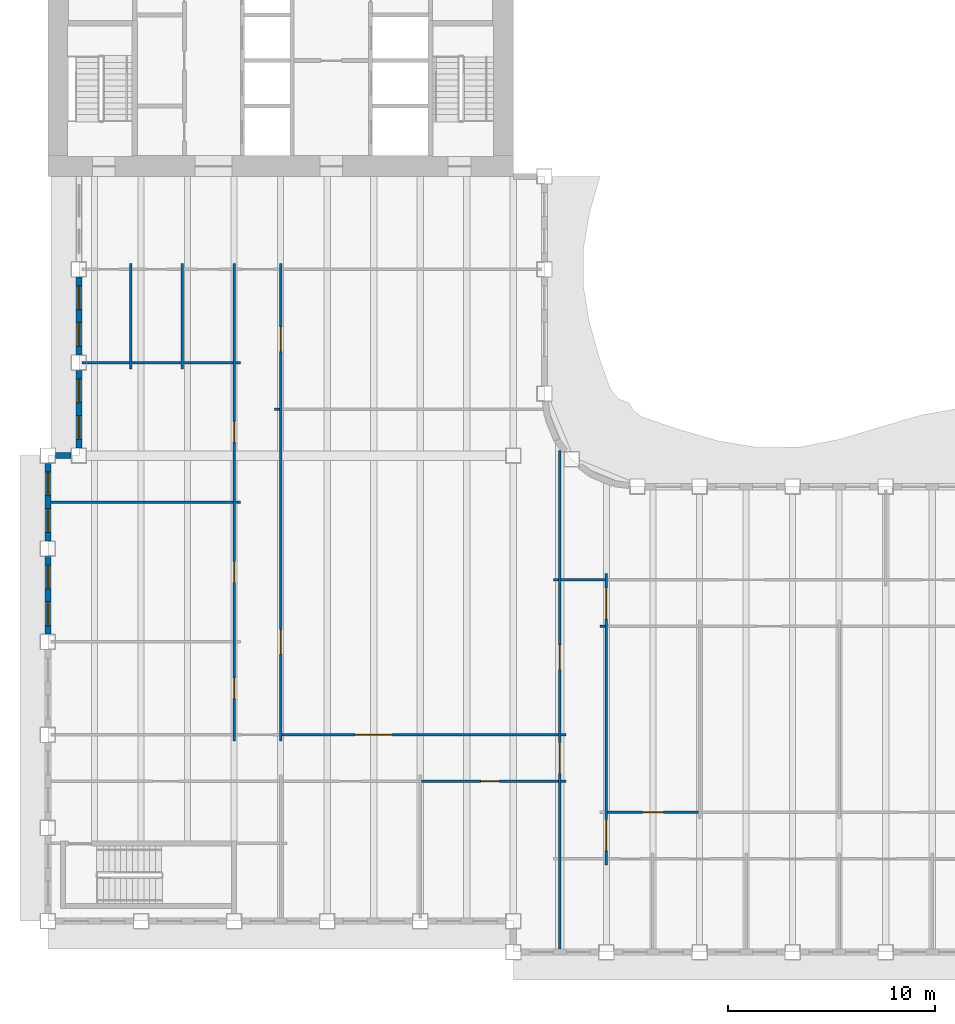
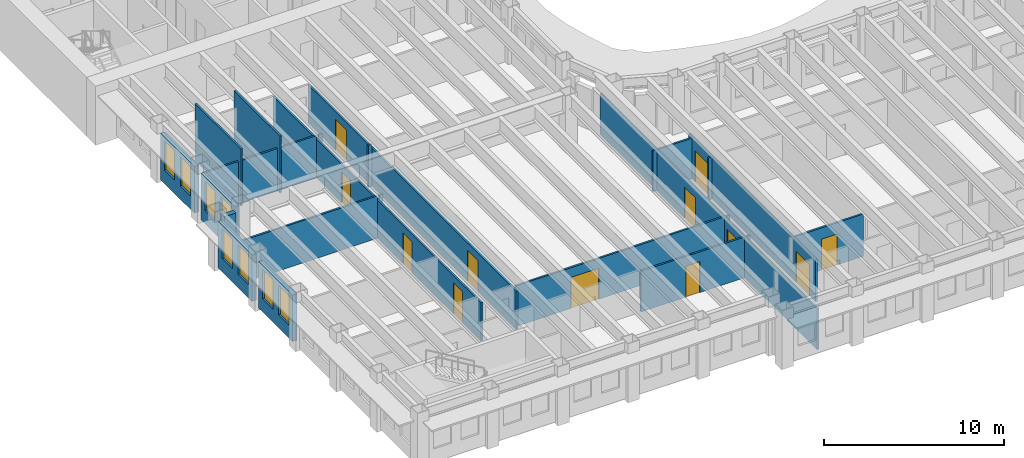
# One storey, part 4 of 17: 26 walls, 12 doors, 8 windows, 20 openings.
"""IFC4 building model written with IfcOpenShell, lengths in metres."""

from ifc_helpers import new_model, si_unit, direction, frame, frame_2d, origin, place, context, subcontext, project, spatial, rectangle, extrude, material, layer, layer_set, type_object, element, fill, save


model = new_model("IFC4")

# Units and contexts
model_context = context("Model", 3, precision=1e-05, world=origin(), true_north=direction((0.0, 1.0)))
body_context = subcontext(model_context, "Body", "Model", "MODEL_VIEW")
ifc_project = project(units=[si_unit("LENGTHUNIT", "METRE"), si_unit("AREAUNIT", "SQUARE_METRE"), si_unit("VOLUMEUNIT", "CUBIC_METRE"), si_unit("PLANEANGLEUNIT", "RADIAN"), si_unit("MASSUNIT", "GRAM", prefix="KILO")], contexts=[model_context])

# Site, building, storey
site_placement = place(None, origin())
site = spatial("IfcSite", under=ifc_project, at=site_placement, CompositionType="ELEMENT")
building_placement = place(site_placement, origin())
building = spatial("IfcBuilding", under=site, at=building_placement, Name="Sennacour Bend Tower", CompositionType="ELEMENT")
storey_placement = place(building_placement, frame((0.0, 0.0, 215.0)))
storey = spatial("IfcBuildingStorey", under=building, at=storey_placement, Name="L49", CompositionType="ELEMENT", Elevation=215.0)

# Walls
ifc_material_1 = material(Name="Plasterboard partition on steel studs", Category="steel")
ifc_layer_1 = layer(ifc_material_1, 0.1201171875, Name="Plasterboard partition on steel studs", Category="steel")
ifc_layer_set_1 = layer_set([ifc_layer_1], Name="Plasterboard partition on steel studs")
wall_type_1 = type_object("IfcWallType", Name="Partition 120", PredefinedType="PARTITIONING", material=ifc_layer_set_1)
for number, where, z_axis, x_axis, name in (
    (1, (4.0, 26.699951171875, 0.0), (0.0, 0.0, 1.0), (0.0, 1.0, 0.0), "P-L49-W004a"),
    (2, (6.5, 26.699951171875, 0.0), (0.0, 0.0, 1.0), (0.0, 1.0, 0.0), "P-L49-W007a"),
):
    element("IfcWall", number, at=place(storey_placement, frame(where, z_axis=z_axis, x_axis=x_axis)), inside=storey, type_object=wall_type_1, Name=name, PredefinedType="PARTITIONING", context=body_context, shape_type="SweptSolid", body=[
        extrude(rectangle(XDim=5.10009765625, YDim=0.1201171875, at=frame_2d((2.550048828125, 0.0))), origin(), (0.0, 0.0, 1.0), 3.85009765625),
    ])

# Wall, openings, doors
wall_1_placement = place(storey_placement, frame((9.0, 8.699951171875, 0.0), z_axis=(0.0, 0.0, 1.0), x_axis=(0.0, 1.0, 0.0)))
wall_1 = element("IfcWall", 3, at=wall_1_placement, inside=storey, type_object=wall_type_1, Name="P-L49-W010a", PredefinedType="PARTITIONING", context=body_context, shape_type="SweptSolid", body=[
    extrude(rectangle(XDim=23.10009765625, YDim=0.1201171875, at=frame_2d((11.550048828125, 0.0))), origin(), (0.0, 0.0, 1.0), 2.60009765625),
])
opening_1_placement = place(wall_1_placement, frame((2.050048828125, 0.0, 0.0)))
opening_1 = element("IfcOpeningElement", 4, at=opening_1_placement, cuts=wall_1, Name="Opening OD2", PredefinedType="OPENING", context=body_context, shape_type="SweptSolid", body=[
    extrude(rectangle(XDim=1.0, YDim=2.10009765625, at=frame_2d((0.5, 1.050048828125))), frame((0.0, 0.070068359375, 0.0), z_axis=(0.0, -1.0, 0.0), x_axis=(1.0, 0.0, 0.0)), (0.0, 0.0, 1.0), 0.14013671875),
])
opening_2_placement = place(wall_1_placement, frame((7.675048828125, 0.0, 0.0)))
opening_2 = element("IfcOpeningElement", 5, at=opening_2_placement, cuts=wall_1, Name="Opening OD2", PredefinedType="OPENING", context=body_context, shape_type="SweptSolid", body=[
    extrude(rectangle(XDim=1.0, YDim=2.10009765625, at=frame_2d((0.5, 1.050048828125))), frame((0.0, 0.070068359375, 0.0), z_axis=(0.0, -1.0, 0.0), x_axis=(1.0, 0.0, 0.0)), (0.0, 0.0, 1.0), 0.14013671875),
])
opening_3_placement = place(wall_1_placement, frame((14.455078125, 0.0, 0.0)))
opening_3 = element("IfcOpeningElement", 6, at=opening_3_placement, cuts=wall_1, Name="Opening OD2", PredefinedType="OPENING", context=body_context, shape_type="SweptSolid", body=[
    extrude(rectangle(XDim=1.0, YDim=2.10009765625, at=frame_2d((0.5, 1.050048828125))), frame((0.0, 0.070068359375, 0.0), z_axis=(0.0, -1.0, 0.0), x_axis=(1.0, 0.0, 0.0)), (0.0, 0.0, 1.0), 0.14013671875),
])
ifc_material_2 = material(Name="Timber", Category="wood")
door_type_1 = type_object("IfcDoorType", Name="DR-OFFICE-1000", OperationType="NOTDEFINED", PredefinedType="DOOR", material=ifc_material_2)
door_1_placement = place(opening_1_placement, origin())
door_1 = element("IfcDoor", 7, at=door_1_placement, inside=storey, type_object=door_type_1, Name="Door", OperationType="SINGLE_SWING_LEFT", OverallHeight=2.10009765625, OverallWidth=1.0, PredefinedType="DOOR", context=body_context, shape_type="SweptSolid", body=[
    extrude(rectangle(XDim=1.0, YDim=2.10009765625, at=frame_2d((0.5, 1.050048828125))), frame((0.0, 0.02490234375, 0.0), z_axis=(0.0, -1.0, 0.0), x_axis=(1.0, 0.0, 0.0)), (0.0, 0.0, 1.0), 0.050048828125),
])
fill(opening_1, door_1)
door_2_placement = place(opening_2_placement, origin())
door_2 = element("IfcDoor", 8, at=door_2_placement, inside=storey, type_object=door_type_1, Name="Door", OperationType="SINGLE_SWING_LEFT", OverallHeight=2.10009765625, OverallWidth=1.0, PredefinedType="DOOR", context=body_context, shape_type="SweptSolid", body=[
    extrude(rectangle(XDim=1.0, YDim=2.10009765625, at=frame_2d((0.5, 1.050048828125))), frame((0.0, 0.02490234375, 0.0), z_axis=(0.0, -1.0, 0.0), x_axis=(1.0, 0.0, 0.0)), (0.0, 0.0, 1.0), 0.050048828125),
])
fill(opening_2, door_2)
door_3_placement = place(opening_3_placement, origin())
door_3 = element("IfcDoor", 9, at=door_3_placement, inside=storey, type_object=door_type_1, Name="Door", OperationType="SINGLE_SWING_RIGHT", OverallHeight=2.10009765625, OverallWidth=1.0, PredefinedType="DOOR", context=body_context, shape_type="SweptSolid", body=[
    extrude(rectangle(XDim=1.0, YDim=2.10009765625, at=frame_2d((0.5, 1.050048828125))), frame((0.0, 0.02490234375, 0.0), z_axis=(0.0, -1.0, 0.0), x_axis=(1.0, 0.0, 0.0)), (0.0, 0.0, 1.0), 0.050048828125),
])
fill(opening_3, door_3)

wall_2_placement = place(storey_placement, frame((11.25, 8.699951171875, 0.0), z_axis=(0.0, 0.0, 1.0), x_axis=(0.0, 1.0, 0.0)))
wall_2 = element("IfcWall", 10, at=wall_2_placement, inside=storey, type_object=wall_type_1, Name="P-L49-W013a", PredefinedType="PARTITIONING", context=body_context, shape_type="SweptSolid", body=[
    extrude(rectangle(XDim=23.10009765625, YDim=0.1201171875, at=frame_2d((11.550048828125, 0.0))), origin(), (0.0, 0.0, 1.0), 2.60009765625),
])
opening_4_placement = place(wall_2_placement, frame((18.824951171875, 0.0, 0.0)))
opening_4 = element("IfcOpeningElement", 11, at=opening_4_placement, cuts=wall_2, Name="Opening MD", PredefinedType="OPENING", context=body_context, shape_type="SweptSolid", body=[
    extrude(rectangle(XDim=1.199951171875, YDim=2.10009765625, at=frame_2d((0.60009765625, 1.050048828125))), frame((0.0, 0.070068359375, 0.0), z_axis=(0.0, -1.0, 0.0), x_axis=(1.0, 0.0, 0.0)), (0.0, 0.0, 1.0), 0.14013671875),
])
opening_5_placement = place(wall_2_placement, frame((4.199951171875, 0.0, 0.0)))
opening_5 = element("IfcOpeningElement", 12, at=opening_5_placement, cuts=wall_2, Name="Opening OD", PredefinedType="OPENING", context=body_context, shape_type="SweptSolid", body=[
    extrude(rectangle(XDim=1.199951171875, YDim=2.10009765625, at=frame_2d((0.60009765625, 1.050048828125))), frame((0.0, 0.070068359375, 0.0), z_axis=(0.0, -1.0, 0.0), x_axis=(1.0, 0.0, 0.0)), (0.0, 0.0, 1.0), 0.14013671875),
])
door_type_2 = type_object("IfcDoorType", Name="DR-MEETING-1200", OperationType="NOTDEFINED", PredefinedType="DOOR", material=ifc_material_2)
door_4_placement = place(opening_4_placement, origin())
door_4 = element("IfcDoor", 13, at=door_4_placement, inside=storey, type_object=door_type_2, Name="Door", OperationType="SINGLE_SWING_RIGHT", OverallHeight=2.10009765625, OverallWidth=1.199951171875, PredefinedType="DOOR", context=body_context, shape_type="SweptSolid", body=[
    extrude(rectangle(XDim=1.199951171875, YDim=2.10009765625, at=frame_2d((0.60009765625, 1.050048828125))), frame((0.0, 0.02490234375, 0.0), z_axis=(0.0, -1.0, 0.0), x_axis=(1.0, 0.0, 0.0)), (0.0, 0.0, 1.0), 0.050048828125),
])
fill(opening_4, door_4)
door_type_3 = type_object("IfcDoorType", Name="DR-OFFICE-1200", OperationType="NOTDEFINED", PredefinedType="DOOR", material=ifc_material_2)
door_5_placement = place(opening_5_placement, origin())
door_5 = element("IfcDoor", 14, at=door_5_placement, inside=storey, type_object=door_type_3, Name="Door", OperationType="SINGLE_SWING_LEFT", OverallHeight=2.10009765625, OverallWidth=1.199951171875, PredefinedType="DOOR", context=body_context, shape_type="SweptSolid", body=[
    extrude(rectangle(XDim=1.199951171875, YDim=2.10009765625, at=frame_2d((0.60009765625, 1.050048828125))), frame((0.0, 0.02490234375, 0.0), z_axis=(0.0, -1.0, 0.0), x_axis=(1.0, 0.0, 0.0)), (0.0, 0.0, 1.0), 0.050048828125),
])
fill(opening_5, door_5)

# Wall, opening, door
wall_3_placement = place(storey_placement, frame((27.06005859375, 5.25, 0.0), z_axis=(0.0, 0.0, 1.0), x_axis=(1.0, 0.0, 0.0)))
wall_3 = element("IfcWall", 15, at=wall_3_placement, inside=storey, type_object=wall_type_1, Name="P-L49-W056ab", PredefinedType="PARTITIONING", context=body_context, shape_type="SweptSolid", body=[
    extrude(rectangle(XDim=4.3798828125, YDim=0.1201171875, at=frame_2d((2.18994140625, 0.0))), origin(), (0.0, 0.0, 1.0), 2.8701171875),
])
opening_6_placement = place(wall_3_placement, frame((1.68994140625, 0.0, 0.0)))
opening_6 = element("IfcOpeningElement", 16, at=opening_6_placement, cuts=wall_3, Name="Opening OD2", PredefinedType="OPENING", context=body_context, shape_type="SweptSolid", body=[
    extrude(rectangle(XDim=1.0, YDim=2.10009765625, at=frame_2d((0.5, 1.050048828125))), frame((0.0, 0.070068359375, 0.0), z_axis=(0.0, -1.0, 0.0), x_axis=(1.0, 0.0, 0.0)), (0.0, 0.0, 1.0), 0.14013671875),
])
door_6_placement = place(opening_6_placement, origin())
door_6 = element("IfcDoor", 17, at=door_6_placement, inside=storey, type_object=door_type_1, Name="Door", OperationType="SINGLE_SWING_LEFT", OverallHeight=2.10009765625, OverallWidth=1.0, PredefinedType="DOOR", context=body_context, shape_type="SweptSolid", body=[
    extrude(rectangle(XDim=1.0, YDim=2.10009765625, at=frame_2d((0.5, 1.050048828125))), frame((0.0, 0.02490234375, 0.0), z_axis=(0.0, -1.0, 0.0), x_axis=(1.0, 0.0, 0.0)), (0.0, 0.0, 1.0), 0.050048828125),
])
fill(opening_6, door_6)

# Wall
wall_4_placement = place(storey_placement, frame((24.81005859375, 6.75, 0.0), z_axis=(0.0, 0.0, 1.0), x_axis=(1.0, 0.0, 0.0)))
element("IfcWall", 18, at=wall_4_placement, inside=storey, type_object=wall_type_1, Name="P-L49-W058ad", PredefinedType="PARTITIONING", context=body_context, shape_type="SweptSolid", body=[
    extrude(rectangle(XDim=0.239990234375, YDim=0.1201171875, at=frame_2d((0.1201171875, 0.0))), origin(), (0.0, 0.0, 1.0), 2.760009765625),
])

# Wall, opening, door
wall_5_placement = place(storey_placement, frame((11.31005859375, 9.0, 0.0), z_axis=(0.0, 0.0, 1.0), x_axis=(1.0, 0.0, 0.0)))
wall_5 = element("IfcWall", 19, at=wall_5_placement, inside=storey, type_object=wall_type_1, Name="P-L49-W060ac", PredefinedType="PARTITIONING", context=body_context, shape_type="SweptSolid", body=[
    extrude(rectangle(XDim=13.3798828125, YDim=0.1201171875, at=frame_2d((6.68994140625, 0.0))), origin(), (0.0, 0.0, 1.0), 2.760009765625),
])
opening_7_placement = place(wall_5_placement, frame((3.539794921875, 0.0, 0.0)))
opening_7 = element("IfcOpeningElement", 20, at=opening_7_placement, cuts=wall_5, Name="Opening OD3", PredefinedType="OPENING", context=body_context, shape_type="SweptSolid", body=[
    extrude(rectangle(XDim=1.800048828125, YDim=2.10009765625, at=frame_2d((0.89990234375, 1.050048828125))), frame((0.0, 0.070068359375, 0.0), z_axis=(0.0, -1.0, 0.0), x_axis=(1.0, 0.0, 0.0)), (0.0, 0.0, 1.0), 0.14013671875),
])
door_type_4 = type_object("IfcDoorType", Name="DR-OFFICE-1800", OperationType="NOTDEFINED", PredefinedType="DOOR", material=ifc_material_2)
door_7_placement = place(opening_7_placement, origin())
door_7 = element("IfcDoor", 21, at=door_7_placement, inside=storey, type_object=door_type_4, Name="Door", OperationType="DOUBLE_DOOR_SINGLE_SWING", OverallHeight=2.10009765625, OverallWidth=1.800048828125, PredefinedType="DOOR", context=body_context, shape_type="SweptSolid", body=[
    extrude(rectangle(XDim=1.800048828125, YDim=2.10009765625, at=frame_2d((0.89990234375, 1.050048828125))), frame((0.0, 0.02490234375, 0.0), z_axis=(0.0, -1.0, 0.0), x_axis=(1.0, 0.0, 0.0)), (0.0, 0.0, 1.0), 0.050048828125),
])
fill(opening_7, door_7)

# Walls
wall_6_placement = place(storey_placement, frame((24.81005859375, 9.0, 0.0), z_axis=(0.0, 0.0, 1.0), x_axis=(1.0, 0.0, 0.0)))
element("IfcWall", 22, at=wall_6_placement, inside=storey, type_object=wall_type_1, Name="P-L49-W060ad", PredefinedType="PARTITIONING", context=body_context, shape_type="SweptSolid", body=[
    extrude(rectangle(XDim=0.239990234375, YDim=0.1201171875, at=frame_2d((0.1201171875, 0.0))), origin(), (0.0, 0.0, 1.0), 2.760009765625),
])
wall_7_placement = place(storey_placement, frame((26.699951171875, 14.25, 0.0), z_axis=(0.0, 0.0, 1.0), x_axis=(1.0, 0.0, 0.0)))
element("IfcWall", 23, at=wall_7_placement, inside=storey, type_object=wall_type_1, Name="P-L49-W065aa", PredefinedType="PARTITIONING", context=body_context, shape_type="SweptSolid", body=[
    extrude(rectangle(XDim=0.239990234375, YDim=0.1201171875, at=frame_2d((0.1201171875, 0.0))), origin(), (0.0, 0.0, 1.0), 2.8701171875),
])
wall_8_placement = place(storey_placement, frame((24.449951171875, 16.5, 0.0), z_axis=(0.0, 0.0, 1.0), x_axis=(1.0, 0.0, 0.0)))
element("IfcWall", 24, at=wall_8_placement, inside=storey, type_object=wall_type_1, Name="P-L49-W068aa", PredefinedType="PARTITIONING", context=body_context, shape_type="SweptSolid", body=[
    extrude(rectangle(XDim=0.239990234375, YDim=0.1201171875, at=frame_2d((0.1201171875, 0.0))), origin(), (0.0, 0.0, 1.0), 2.760009765625),
])
wall_9_placement = place(storey_placement, frame((24.81005859375, 16.5, 0.0), z_axis=(0.0, 0.0, 1.0), x_axis=(1.0, 0.0, 0.0)))
element("IfcWall", 25, at=wall_9_placement, inside=storey, type_object=wall_type_1, Name="P-L49-W068ab", PredefinedType="PARTITIONING", context=body_context, shape_type="SweptSolid", body=[
    extrude(rectangle(XDim=2.1298828125, YDim=0.1201171875, at=frame_2d((1.06494140625, 0.0))), origin(), (0.0, 0.0, 1.0), 2.760009765625),
])
wall_10_placement = place(storey_placement, frame((0.14990234375, 20.25, 0.0), z_axis=(0.0, 0.0, 1.0), x_axis=(1.0, 0.0, 0.0)))
element("IfcWall", 26, at=wall_10_placement, inside=storey, type_object=wall_type_1, Name="P-L49-W072aa", PredefinedType="PARTITIONING", context=body_context, shape_type="SweptSolid", body=[
    extrude(rectangle(XDim=8.7900390625, YDim=0.1201171875, at=frame_2d((4.39501953125, 0.0))), origin(), (0.0, 0.0, 1.0), 2.8701171875),
])
for number, where, z_axis, x_axis, name in (
    (27, (9.06005859375, 20.25, 0.0), (0.0, 0.0, 1.0), (1.0, 0.0, 0.0), "P-L49-W072ab"),
    (28, (10.949951171875, 24.75, 0.0), (0.0, 0.0, 1.0), (1.0, 0.0, 0.0), "P-L49-W074aa"),
):
    element("IfcWall", number, at=place(storey_placement, frame(where, z_axis=z_axis, x_axis=x_axis)), inside=storey, type_object=wall_type_1, Name=name, PredefinedType="PARTITIONING", context=body_context, shape_type="SweptSolid", body=[
        extrude(rectangle(XDim=0.239990234375, YDim=0.1201171875, at=frame_2d((0.1201171875, 0.0))), origin(), (0.0, 0.0, 1.0), 2.8701171875),
    ])
wall_11_placement = place(storey_placement, frame((1.64990234375, 27.0, 0.0), z_axis=(0.0, 0.0, 1.0), x_axis=(1.0, 0.0, 0.0)))
element("IfcWall", 29, at=wall_11_placement, inside=storey, type_object=wall_type_1, Name="P-L49-W076aa", PredefinedType="PARTITIONING", context=body_context, shape_type="SweptSolid", body=[
    extrude(rectangle(XDim=2.2900390625, YDim=0.1201171875, at=frame_2d((1.14501953125, 0.0))), origin(), (0.0, 0.0, 1.0), 2.8701171875),
])
for number, where, z_axis, x_axis, name in (
    (30, (4.06005859375, 27.0, 0.0), (0.0, 0.0, 1.0), (1.0, 0.0, 0.0), "P-L49-W076ab"),
    (31, (6.56005859375, 27.0, 0.0), (0.0, 0.0, 1.0), (1.0, 0.0, 0.0), "P-L49-W076ac"),
):
    element("IfcWall", number, at=place(storey_placement, frame(where, z_axis=z_axis, x_axis=x_axis)), inside=storey, type_object=wall_type_1, Name=name, PredefinedType="PARTITIONING", context=body_context, shape_type="SweptSolid", body=[
        extrude(rectangle(XDim=2.3798828125, YDim=0.1201171875, at=frame_2d((1.18994140625, 0.0))), origin(), (0.0, 0.0, 1.0), 2.8701171875),
    ])
wall_12_placement = place(storey_placement, frame((9.06005859375, 27.0, 0.0), z_axis=(0.0, 0.0, 1.0), x_axis=(1.0, 0.0, 0.0)))
element("IfcWall", 32, at=wall_12_placement, inside=storey, type_object=wall_type_1, Name="P-L49-W076ad", PredefinedType="PARTITIONING", context=body_context, shape_type="SweptSolid", body=[
    extrude(rectangle(XDim=0.239990234375, YDim=0.1201171875, at=frame_2d((0.1201171875, 0.0))), origin(), (0.0, 0.0, 1.0), 2.8701171875),
])

# Wall, openings, doors
ifc_layer_2 = layer(ifc_material_1, 0.1201171875, Name="Plasterboard partition on steel studs", Category="steel")
ifc_layer_set_2 = layer_set([ifc_layer_2], Name="Plasterboard partition on steel studs")
wall_type_2 = type_object("IfcWallType", Name="Partition 120 EI 30", PredefinedType="PARTITIONING", material=ifc_layer_set_2)
wall_13_placement = place(storey_placement, frame((24.75, -1.35009765625, 0.0), z_axis=(0.0, 0.0, 1.0), x_axis=(0.0, 1.0, 0.0)))
wall_13 = element("IfcWall", 33, at=wall_13_placement, inside=storey, type_object=wall_type_2, Name="P-L49-W022a", PredefinedType="PARTITIONING", context=body_context, shape_type="SweptSolid", body=[
    extrude(rectangle(XDim=24.1005859375, YDim=0.1201171875, at=frame_2d((12.05029296875, 0.0))), origin(), (0.0, 0.0, 1.0), 2.760009765625),
])
opening_8_placement = place(wall_13_placement, frame((8.47509765625, 0.0, 0.0)))
opening_8 = element("IfcOpeningElement", 34, at=opening_8_placement, cuts=wall_13, Name="Opening KD", PredefinedType="OPENING", context=body_context, shape_type="SweptSolid", body=[
    extrude(rectangle(XDim=1.5, YDim=2.10009765625, at=frame_2d((0.75, 1.050048828125))), frame((0.0, 0.070068359375, 0.0), z_axis=(0.0, -1.0, 0.0), x_axis=(1.0, 0.0, 0.0)), (0.0, 0.0, 1.0), 0.14013671875),
])
opening_9_placement = place(wall_13_placement, frame((13.5, 0.0, 0.0)))
opening_9 = element("IfcOpeningElement", 35, at=opening_9_placement, cuts=wall_13, Name="Opening OD", PredefinedType="OPENING", context=body_context, shape_type="SweptSolid", body=[
    extrude(rectangle(XDim=1.199951171875, YDim=2.10009765625, at=frame_2d((0.60009765625, 1.050048828125))), frame((0.0, 0.070068359375, 0.0), z_axis=(0.0, -1.0, 0.0), x_axis=(1.0, 0.0, 0.0)), (0.0, 0.0, 1.0), 0.14013671875),
])
ifc_material_3 = material(Name="Painted steel", Category="steel")
door_type_5 = type_object("IfcDoorType", Name="DR-CORRIDOR-1500", OperationType="NOTDEFINED", PredefinedType="DOOR", material=ifc_material_3)
door_8_placement = place(opening_8_placement, origin())
door_8 = element("IfcDoor", 36, at=door_8_placement, inside=storey, type_object=door_type_5, Name="Door", OperationType="SINGLE_SWING_LEFT", OverallHeight=2.10009765625, OverallWidth=1.5, PredefinedType="DOOR", context=body_context, shape_type="SweptSolid", body=[
    extrude(rectangle(XDim=1.5, YDim=2.10009765625, at=frame_2d((0.75, 1.050048828125))), frame((0.0, 0.02490234375, 0.0), z_axis=(0.0, -1.0, 0.0), x_axis=(1.0, 0.0, 0.0)), (0.0, 0.0, 1.0), 0.050048828125),
])
fill(opening_8, door_8)
door_9_placement = place(opening_9_placement, origin())
door_9 = element("IfcDoor", 37, at=door_9_placement, inside=storey, type_object=door_type_3, Name="Door", OperationType="SINGLE_SWING_RIGHT", OverallHeight=2.10009765625, OverallWidth=1.199951171875, PredefinedType="DOOR", context=body_context, shape_type="SweptSolid", body=[
    extrude(rectangle(XDim=1.199951171875, YDim=2.10009765625, at=frame_2d((0.60009765625, 1.050048828125))), frame((0.0, 0.02490234375, 0.0), z_axis=(0.0, -1.0, 0.0), x_axis=(1.0, 0.0, 0.0)), (0.0, 0.0, 1.0), 0.050048828125),
])
fill(opening_9, door_9)

wall_14_placement = place(storey_placement, frame((27.0, 2.699951171875, 0.0), z_axis=(0.0, 0.0, 1.0), x_axis=(0.0, 1.0, 0.0)))
wall_14 = element("IfcWall", 38, at=wall_14_placement, inside=storey, type_object=wall_type_2, Name="P-L49-W023a", PredefinedType="PARTITIONING", context=body_context, shape_type="SweptSolid", body=[
    extrude(rectangle(XDim=14.10009765625, YDim=0.1201171875, at=frame_2d((7.050048828125, 0.0))), origin(), (0.0, 0.0, 1.0), 2.8701171875),
])
opening_10_placement = place(wall_14_placement, frame((0.705078125, 0.0, 0.0)))
opening_10 = element("IfcOpeningElement", 39, at=opening_10_placement, cuts=wall_14, Name="Opening KD", PredefinedType="OPENING", context=body_context, shape_type="SweptSolid", body=[
    extrude(rectangle(XDim=1.5, YDim=2.10009765625, at=frame_2d((0.75, 1.050048828125))), frame((0.0, 0.070068359375, 0.0), z_axis=(0.0, -1.0, 0.0), x_axis=(1.0, 0.0, 0.0)), (0.0, 0.0, 1.0), 0.14013671875),
])
opening_11_placement = place(wall_14_placement, frame((11.89501953125, 0.0, 0.0)))
opening_11 = element("IfcOpeningElement", 40, at=opening_11_placement, cuts=wall_14, Name="Opening KD", PredefinedType="OPENING", context=body_context, shape_type="SweptSolid", body=[
    extrude(rectangle(XDim=1.5, YDim=2.10009765625, at=frame_2d((0.75, 1.050048828125))), frame((0.0, 0.070068359375, 0.0), z_axis=(0.0, -1.0, 0.0), x_axis=(1.0, 0.0, 0.0)), (0.0, 0.0, 1.0), 0.14013671875),
])
door_10_placement = place(opening_10_placement, origin())
door_10 = element("IfcDoor", 41, at=door_10_placement, inside=storey, type_object=door_type_5, Name="Door", OperationType="SINGLE_SWING_LEFT", OverallHeight=2.10009765625, OverallWidth=1.5, PredefinedType="DOOR", context=body_context, shape_type="SweptSolid", body=[
    extrude(rectangle(XDim=1.5, YDim=2.10009765625, at=frame_2d((0.75, 1.050048828125))), frame((0.0, 0.02490234375, 0.0), z_axis=(0.0, -1.0, 0.0), x_axis=(1.0, 0.0, 0.0)), (0.0, 0.0, 1.0), 0.050048828125),
])
fill(opening_10, door_10)
door_11_placement = place(opening_11_placement, origin())
door_11 = element("IfcDoor", 42, at=door_11_placement, inside=storey, type_object=door_type_5, Name="Door", OperationType="SINGLE_SWING_RIGHT", OverallHeight=2.10009765625, OverallWidth=1.5, PredefinedType="DOOR", context=body_context, shape_type="SweptSolid", body=[
    extrude(rectangle(XDim=1.5, YDim=2.10009765625, at=frame_2d((0.75, 1.050048828125))), frame((0.0, 0.02490234375, 0.0), z_axis=(0.0, -1.0, 0.0), x_axis=(1.0, 0.0, 0.0)), (0.0, 0.0, 1.0), 0.050048828125),
])
fill(opening_11, door_11)

# Wall, opening, door
ifc_layer_3 = layer(ifc_material_1, 0.1201171875, Name="Plasterboard partition on steel studs", Category="steel")
ifc_layer_set_3 = layer_set([ifc_layer_3], Name="Plasterboard partition on steel studs")
wall_type_3 = type_object("IfcWallType", Name="Partition 120 EI 60", PredefinedType="PARTITIONING", material=ifc_layer_set_3)
wall_15_placement = place(storey_placement, frame((18.06005859375, 6.75, 0.0), z_axis=(0.0, 0.0, 1.0), x_axis=(1.0, 0.0, 0.0)))
wall_15 = element("IfcWall", 43, at=wall_15_placement, inside=storey, type_object=wall_type_3, Name="P-L49-W058ac", PredefinedType="PARTITIONING", context=body_context, shape_type="SweptSolid", body=[
    extrude(rectangle(XDim=6.6298828125, YDim=0.1201171875, at=frame_2d((3.31494140625, 0.0))), origin(), (0.0, 0.0, 1.0), 2.760009765625),
])
opening_12_placement = place(wall_15_placement, frame((2.864990234375, 0.0, 0.0)))
opening_12 = element("IfcOpeningElement", 44, at=opening_12_placement, cuts=wall_15, Name="Opening SV", PredefinedType="OPENING", context=body_context, shape_type="SweptSolid", body=[
    extrude(rectangle(XDim=0.89990234375, YDim=2.10009765625, at=frame_2d((0.449951171875, 1.050048828125))), frame((0.0, 0.070068359375, 0.0), z_axis=(0.0, -1.0, 0.0), x_axis=(1.0, 0.0, 0.0)), (0.0, 0.0, 1.0), 0.14013671875),
])
door_type_6 = type_object("IfcDoorType", Name="DR-SERVICE-900", OperationType="NOTDEFINED", PredefinedType="DOOR", material=ifc_material_3)
door_12_placement = place(opening_12_placement, origin())
door_12 = element("IfcDoor", 45, at=door_12_placement, inside=storey, type_object=door_type_6, Name="Door", OperationType="SINGLE_SWING_LEFT", OverallHeight=2.10009765625, OverallWidth=0.89990234375, PredefinedType="DOOR", context=body_context, shape_type="SweptSolid", body=[
    extrude(rectangle(XDim=0.89990234375, YDim=2.10009765625, at=frame_2d((0.449951171875, 1.050048828125))), frame((0.0, 0.02490234375, 0.0), z_axis=(0.0, -1.0, 0.0), x_axis=(1.0, 0.0, 0.0)), (0.0, 0.0, 1.0), 0.050048828125),
])
fill(opening_12, door_12)

# Wall, openings, windows
ifc_material_4 = material(Name="Warm limestone cladding", Category="masonry")
ifc_layer_4 = layer(ifc_material_4, 0.050048828125, Name="Warm limestone cladding", Category="masonry")
ifc_material_5 = material(Name="Precast concrete C40/50", Category="concrete")
ifc_layer_5 = layer(ifc_material_5, 0.25, Name="Precast concrete C40/50", Category="concrete")
ifc_layer_set_4 = layer_set([ifc_layer_4, ifc_layer_5], Name="Precast concrete C40/50 with limestone cladding")
wall_type_4 = type_object("IfcWallType", Name="STONE-CLAD PRECAST SPANDREL 300", PredefinedType="STANDARD", material=ifc_layer_set_4)
wall_16_placement = place(storey_placement, frame((1.5, 31.125, 0.0), z_axis=(0.0, 0.0, 1.0), x_axis=(0.0, -1.0, 0.0)))
wall_16 = element("IfcWall", 46, at=wall_16_placement, inside=storey, type_object=wall_type_4, Name="Stone spandrel and pier wall L49 19.01", PredefinedType="STANDARD", context=body_context, shape_type="SweptSolid", body=[
    extrude(rectangle(XDim=3.75, YDim=0.300048828125, at=frame_2d((1.875, 0.0))), origin(), (0.0, 0.0, 1.0), 3.156982421875),
])
opening_13_placement = place(wall_16_placement, frame((0.41259765625, 0.0, 0.89990234375)))
opening_13 = element("IfcOpeningElement", 47, at=opening_13_placement, cuts=wall_16, Name="Opening W24", PredefinedType="OPENING", context=body_context, shape_type="SweptSolid", body=[
    extrude(rectangle(XDim=1.14990234375, YDim=2.0, at=frame_2d((0.574951171875, 1.0))), frame((0.0, 0.16015625, 0.0), z_axis=(0.0, -1.0, 0.0), x_axis=(1.0, 0.0, 0.0)), (0.0, 0.0, 1.0), 0.320068359375),
])
opening_14_placement = place(wall_16_placement, frame((2.1875, 0.0, 0.89990234375)))
opening_14 = element("IfcOpeningElement", 48, at=opening_14_placement, cuts=wall_16, Name="Opening W24", PredefinedType="OPENING", context=body_context, shape_type="SweptSolid", body=[
    extrude(rectangle(XDim=1.14990234375, YDim=2.0, at=frame_2d((0.574951171875, 1.0))), frame((0.0, 0.16015625, 0.0), z_axis=(0.0, -1.0, 0.0), x_axis=(1.0, 0.0, 0.0)), (0.0, 0.0, 1.0), 0.320068359375),
])
ifc_material_6 = material(Name="Clear low-emissivity glass", Category="glass")
window_type = type_object("IfcWindowType", Name="WIN-RIBBON-1150x2000", PartitioningType="SINGLE_PANEL", PredefinedType="WINDOW", material=ifc_material_6)
window_1_placement = place(opening_13_placement, origin())
window_1 = element("IfcWindow", 49, at=window_1_placement, inside=storey, type_object=window_type, Name="Ribbon window L49 19.01.0", OverallHeight=2.0, OverallWidth=1.14990234375, PartitioningType="SINGLE_PANEL", PredefinedType="WINDOW", context=body_context, shape_type="SweptSolid", body=[
    extrude(rectangle(XDim=1.14990234375, YDim=2.0, at=frame_2d((0.574951171875, 1.0))), frame((0.0, 0.030029296875, 0.0), z_axis=(0.0, -1.0, 0.0), x_axis=(1.0, 0.0, 0.0)), (0.0, 0.0, 1.0), 0.06005859375),
])
fill(opening_13, window_1)
window_2_placement = place(opening_14_placement, origin())
window_2 = element("IfcWindow", 50, at=window_2_placement, inside=storey, type_object=window_type, Name="Ribbon window L49 19.01.1", OverallHeight=2.0, OverallWidth=1.14990234375, PartitioningType="SINGLE_PANEL", PredefinedType="WINDOW", context=body_context, shape_type="SweptSolid", body=[
    extrude(rectangle(XDim=1.14990234375, YDim=2.0, at=frame_2d((0.574951171875, 1.0))), frame((0.0, 0.030029296875, 0.0), z_axis=(0.0, -1.0, 0.0), x_axis=(1.0, 0.0, 0.0)), (0.0, 0.0, 1.0), 0.06005859375),
])
fill(opening_14, window_2)

wall_17_placement = place(storey_placement, frame((1.5, 26.625, 0.0), z_axis=(0.0, 0.0, 1.0), x_axis=(0.0, -1.0, 0.0)))
wall_17 = element("IfcWall", 51, at=wall_17_placement, inside=storey, type_object=wall_type_4, Name="Stone spandrel and pier wall L49 19.02", PredefinedType="STANDARD", context=body_context, shape_type="SweptSolid", body=[
    extrude(rectangle(XDim=3.75, YDim=0.300048828125, at=frame_2d((1.875, 0.0))), origin(), (0.0, 0.0, 1.0), 3.156982421875),
])
opening_15_placement = place(wall_17_placement, frame((0.41259765625, 0.0, 0.89990234375)))
opening_15 = element("IfcOpeningElement", 52, at=opening_15_placement, cuts=wall_17, Name="Opening W24", PredefinedType="OPENING", context=body_context, shape_type="SweptSolid", body=[
    extrude(rectangle(XDim=1.14990234375, YDim=2.0, at=frame_2d((0.574951171875, 1.0))), frame((0.0, 0.16015625, 0.0), z_axis=(0.0, -1.0, 0.0), x_axis=(1.0, 0.0, 0.0)), (0.0, 0.0, 1.0), 0.320068359375),
])
opening_16_placement = place(wall_17_placement, frame((2.1875, 0.0, 0.89990234375)))
opening_16 = element("IfcOpeningElement", 53, at=opening_16_placement, cuts=wall_17, Name="Opening W24", PredefinedType="OPENING", context=body_context, shape_type="SweptSolid", body=[
    extrude(rectangle(XDim=1.14990234375, YDim=2.0, at=frame_2d((0.574951171875, 1.0))), frame((0.0, 0.16015625, 0.0), z_axis=(0.0, -1.0, 0.0), x_axis=(1.0, 0.0, 0.0)), (0.0, 0.0, 1.0), 0.320068359375),
])
window_3_placement = place(opening_15_placement, origin())
window_3 = element("IfcWindow", 54, at=window_3_placement, inside=storey, type_object=window_type, Name="Ribbon window L49 19.02.0", OverallHeight=2.0, OverallWidth=1.14990234375, PartitioningType="SINGLE_PANEL", PredefinedType="WINDOW", context=body_context, shape_type="SweptSolid", body=[
    extrude(rectangle(XDim=1.14990234375, YDim=2.0, at=frame_2d((0.574951171875, 1.0))), frame((0.0, 0.030029296875, 0.0), z_axis=(0.0, -1.0, 0.0), x_axis=(1.0, 0.0, 0.0)), (0.0, 0.0, 1.0), 0.06005859375),
])
fill(opening_15, window_3)
window_4_placement = place(opening_16_placement, origin())
window_4 = element("IfcWindow", 55, at=window_4_placement, inside=storey, type_object=window_type, Name="Ribbon window L49 19.02.1", OverallHeight=2.0, OverallWidth=1.14990234375, PartitioningType="SINGLE_PANEL", PredefinedType="WINDOW", context=body_context, shape_type="SweptSolid", body=[
    extrude(rectangle(XDim=1.14990234375, YDim=2.0, at=frame_2d((0.574951171875, 1.0))), frame((0.0, 0.030029296875, 0.0), z_axis=(0.0, -1.0, 0.0), x_axis=(1.0, 0.0, 0.0)), (0.0, 0.0, 1.0), 0.06005859375),
])
fill(opening_16, window_4)

# Wall
wall_18_placement = place(storey_placement, frame((1.125, 22.5, 0.0), z_axis=(0.0, 0.0, 1.0), x_axis=(-1.0, 0.0, 0.0)))
element("IfcWall", 56, at=wall_18_placement, inside=storey, type_object=wall_type_4, Name="Stone spandrel and pier wall L49 20.00", PredefinedType="STANDARD", context=body_context, shape_type="SweptSolid", body=[
    extrude(rectangle(XDim=0.75, YDim=0.300048828125, at=frame_2d((0.375, 0.0))), origin(), (0.0, 0.0, 1.0), 3.156982421875),
])

# Wall, openings, windows
wall_19_placement = place(storey_placement, frame((0.0, 22.125, 0.0), z_axis=(0.0, 0.0, 1.0), x_axis=(0.0, -1.0, 0.0)))
wall_19 = element("IfcWall", 57, at=wall_19_placement, inside=storey, type_object=wall_type_4, Name="Stone spandrel and pier wall L49 21.00", PredefinedType="STANDARD", context=body_context, shape_type="SweptSolid", body=[
    extrude(rectangle(XDim=3.75, YDim=0.300048828125, at=frame_2d((1.875, 0.0))), origin(), (0.0, 0.0, 1.0), 3.156982421875),
])
opening_17_placement = place(wall_19_placement, frame((0.41259765625, 0.0, 0.89990234375)))
opening_17 = element("IfcOpeningElement", 58, at=opening_17_placement, cuts=wall_19, Name="Opening W24", PredefinedType="OPENING", context=body_context, shape_type="SweptSolid", body=[
    extrude(rectangle(XDim=1.14990234375, YDim=2.0, at=frame_2d((0.574951171875, 1.0))), frame((0.0, 0.16015625, 0.0), z_axis=(0.0, -1.0, 0.0), x_axis=(1.0, 0.0, 0.0)), (0.0, 0.0, 1.0), 0.320068359375),
])
opening_18_placement = place(wall_19_placement, frame((2.1875, 0.0, 0.89990234375)))
opening_18 = element("IfcOpeningElement", 59, at=opening_18_placement, cuts=wall_19, Name="Opening W24", PredefinedType="OPENING", context=body_context, shape_type="SweptSolid", body=[
    extrude(rectangle(XDim=1.14990234375, YDim=2.0, at=frame_2d((0.574951171875, 1.0))), frame((0.0, 0.16015625, 0.0), z_axis=(0.0, -1.0, 0.0), x_axis=(1.0, 0.0, 0.0)), (0.0, 0.0, 1.0), 0.320068359375),
])
window_5_placement = place(opening_17_placement, origin())
window_5 = element("IfcWindow", 60, at=window_5_placement, inside=storey, type_object=window_type, Name="Ribbon window L49 21.00.0", OverallHeight=2.0, OverallWidth=1.14990234375, PartitioningType="SINGLE_PANEL", PredefinedType="WINDOW", context=body_context, shape_type="SweptSolid", body=[
    extrude(rectangle(XDim=1.14990234375, YDim=2.0, at=frame_2d((0.574951171875, 1.0))), frame((0.0, 0.030029296875, 0.0), z_axis=(0.0, -1.0, 0.0), x_axis=(1.0, 0.0, 0.0)), (0.0, 0.0, 1.0), 0.06005859375),
])
fill(opening_17, window_5)
window_6_placement = place(opening_18_placement, origin())
window_6 = element("IfcWindow", 61, at=window_6_placement, inside=storey, type_object=window_type, Name="Ribbon window L49 21.00.1", OverallHeight=2.0, OverallWidth=1.14990234375, PartitioningType="SINGLE_PANEL", PredefinedType="WINDOW", context=body_context, shape_type="SweptSolid", body=[
    extrude(rectangle(XDim=1.14990234375, YDim=2.0, at=frame_2d((0.574951171875, 1.0))), frame((0.0, 0.030029296875, 0.0), z_axis=(0.0, -1.0, 0.0), x_axis=(1.0, 0.0, 0.0)), (0.0, 0.0, 1.0), 0.06005859375),
])
fill(opening_18, window_6)

wall_20_placement = place(storey_placement, frame((0.0, 17.625, 0.0), z_axis=(0.0, 0.0, 1.0), x_axis=(0.0, -1.0, 0.0)))
wall_20 = element("IfcWall", 62, at=wall_20_placement, inside=storey, type_object=wall_type_4, Name="Stone spandrel and pier wall L49 21.01", PredefinedType="STANDARD", context=body_context, shape_type="SweptSolid", body=[
    extrude(rectangle(XDim=3.75, YDim=0.300048828125, at=frame_2d((1.875, 0.0))), origin(), (0.0, 0.0, 1.0), 3.156982421875),
])
opening_19_placement = place(wall_20_placement, frame((0.41259765625, 0.0, 0.89990234375)))
opening_19 = element("IfcOpeningElement", 63, at=opening_19_placement, cuts=wall_20, Name="Opening W24", PredefinedType="OPENING", context=body_context, shape_type="SweptSolid", body=[
    extrude(rectangle(XDim=1.14990234375, YDim=2.0, at=frame_2d((0.574951171875, 1.0))), frame((0.0, 0.16015625, 0.0), z_axis=(0.0, -1.0, 0.0), x_axis=(1.0, 0.0, 0.0)), (0.0, 0.0, 1.0), 0.320068359375),
])
opening_20_placement = place(wall_20_placement, frame((2.1875, 0.0, 0.89990234375)))
opening_20 = element("IfcOpeningElement", 64, at=opening_20_placement, cuts=wall_20, Name="Opening W24", PredefinedType="OPENING", context=body_context, shape_type="SweptSolid", body=[
    extrude(rectangle(XDim=1.14990234375, YDim=2.0, at=frame_2d((0.574951171875, 1.0))), frame((0.0, 0.16015625, 0.0), z_axis=(0.0, -1.0, 0.0), x_axis=(1.0, 0.0, 0.0)), (0.0, 0.0, 1.0), 0.320068359375),
])
window_7_placement = place(opening_19_placement, origin())
window_7 = element("IfcWindow", 65, at=window_7_placement, inside=storey, type_object=window_type, Name="Ribbon window L49 21.01.0", OverallHeight=2.0, OverallWidth=1.14990234375, PartitioningType="SINGLE_PANEL", PredefinedType="WINDOW", context=body_context, shape_type="SweptSolid", body=[
    extrude(rectangle(XDim=1.14990234375, YDim=2.0, at=frame_2d((0.574951171875, 1.0))), frame((0.0, 0.030029296875, 0.0), z_axis=(0.0, -1.0, 0.0), x_axis=(1.0, 0.0, 0.0)), (0.0, 0.0, 1.0), 0.06005859375),
])
fill(opening_19, window_7)
window_8_placement = place(opening_20_placement, origin())
window_8 = element("IfcWindow", 66, at=window_8_placement, inside=storey, type_object=window_type, Name="Ribbon window L49 21.01.1", OverallHeight=2.0, OverallWidth=1.14990234375, PartitioningType="SINGLE_PANEL", PredefinedType="WINDOW", context=body_context, shape_type="SweptSolid", body=[
    extrude(rectangle(XDim=1.14990234375, YDim=2.0, at=frame_2d((0.574951171875, 1.0))), frame((0.0, 0.030029296875, 0.0), z_axis=(0.0, -1.0, 0.0), x_axis=(1.0, 0.0, 0.0)), (0.0, 0.0, 1.0), 0.06005859375),
])
fill(opening_20, window_8)

save(model, "model.ifc")
